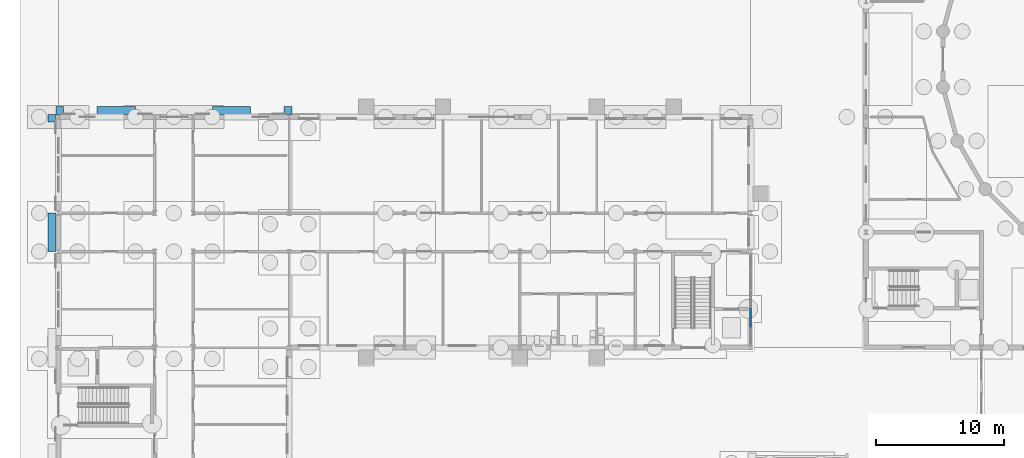
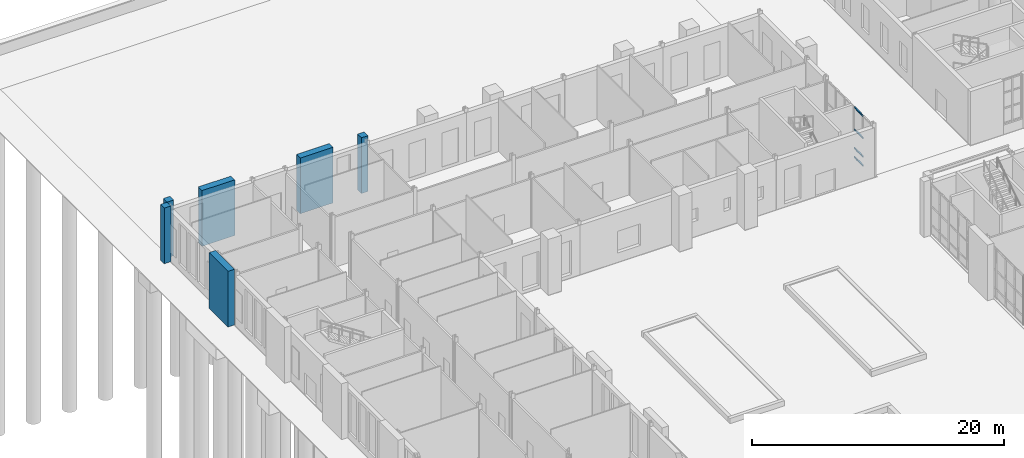
# One storey, part 54 of 168: 10 members, 1 element without a shape of its own.
"""IFC4 building model written with IfcOpenShell, lengths in metres."""

import ifcopenshell
import ifcopenshell.guid

model = None  # the IFC model being written
_history = None  # IfcOwnerHistory: only IFC2X3 demands one
_inside = {}  # id of a spatial element -> (the spatial element, [elements in it])
_under = {}  # id of a project, library or spatial element -> (it, [spatial elements below it])
_declared = {}  # id of a project -> (the project, [libraries it declares])
_typed = {}  # id of a type object -> (the type object, [elements of that type])
_made_of = {}  # id of a material, layer set ... -> (it, [elements and type objects made of it])


def new_model(schema):
    """Start an empty IFC model of exactly this schema.

    Asked for "IFC4X3", IfcOpenShell would pick the latest addendum, in which some entities
    have other attributes; the version numbers below select the first issue.
    IFC2X3 requires an IfcOwnerHistory on every rooted entity: one is made here for all.
    """
    global model, _history
    if schema == "IFC4X3":
        model = ifcopenshell.file(schema_version=(4, 3, 0, 0))
    else:
        model = ifcopenshell.file(schema=schema)
    _inside.clear()
    _under.clear()
    _declared.clear()
    _typed.clear()
    _made_of.clear()
    _history = None
    if model.schema == "IFC2X3":
        org = make("IfcOrganization", Name="unknown")
        user = make(
            "IfcPersonAndOrganization",
            ThePerson=make("IfcPerson", FamilyName="unknown"),
            TheOrganization=org,
        )
        app = make(
            "IfcApplication",
            ApplicationDeveloper=org,
            Version="unknown",
            ApplicationFullName="unknown",
            ApplicationIdentifier="unknown",
        )
        _history = make(
            "IfcOwnerHistory",
            OwningUser=user,
            OwningApplication=app,
            ChangeAction="ADDED",
            CreationDate=0,
        )
    return model


def make(cls, **values):
    """One entity of the class cls with the attributes given. An attribute that is None is left unset."""
    return model.create_entity(
        cls, **{name: value for name, value in values.items() if value is not None}
    )


def rooted(cls, **values):
    """An entity with a GlobalId (a new one), such as an element, a storey or a relation."""
    return make(cls, GlobalId=ifcopenshell.guid.new(), OwnerHistory=_history, **values)


def si_unit(unit_type, name, prefix=None):
    """IfcSIUnit, for example si_unit("LENGTHUNIT", "METRE", prefix="MILLI")."""
    return make("IfcSIUnit", UnitType=unit_type, Prefix=prefix, Name=name)


def assignment(units):
    """IfcUnitAssignment: the units of a project."""
    return None if units is None else make("IfcUnitAssignment", Units=units)


def point(xyz):
    """IfcCartesianPoint."""
    return None if xyz is None else make("IfcCartesianPoint", Coordinates=xyz)


def direction(xyz):
    """IfcDirection."""
    return None if xyz is None else make("IfcDirection", DirectionRatios=xyz)


def frame(location, z_axis=None, x_axis=None):
    """IfcAxis2Placement3D, a coordinate frame: its origin and axes. An axis left out is left unset."""
    return make(
        "IfcAxis2Placement3D",
        Location=point(location),
        Axis=direction(z_axis),
        RefDirection=direction(x_axis),
    )


def frame_2d(location, x_axis=None):
    """IfcAxis2Placement2D, a coordinate frame in the plane: its origin and x axis."""
    return make(
        "IfcAxis2Placement2D", Location=point(location), RefDirection=direction(x_axis)
    )


def origin():
    """The frame at (0, 0, 0) with its axes left unset."""
    return frame((0.0, 0.0, 0.0))


def origin_2d():
    """The frame at (0, 0) in the plane with its x axis left unset."""
    return frame_2d((0.0, 0.0))


def place(relative_to, where):
    """IfcLocalPlacement: puts the frame where relative to a parent placement (None: the world)."""
    return make(
        "IfcLocalPlacement", PlacementRelTo=relative_to, RelativePlacement=where
    )


def context(
    kind, dimensions, precision=None, world=None, true_north=None, identifier=None
):
    """IfcGeometricRepresentationContext, for example the 3D "Model" context."""
    return make(
        "IfcGeometricRepresentationContext",
        ContextIdentifier=identifier,
        ContextType=kind,
        CoordinateSpaceDimension=dimensions,
        Precision=precision,
        WorldCoordinateSystem=world,
        TrueNorth=true_north,
    )


def subcontext(parent, identifier, kind, view, scale=None):
    """IfcGeometricRepresentationSubContext, for example "Body" below "Model"."""
    return make(
        "IfcGeometricRepresentationSubContext",
        ContextIdentifier=identifier,
        ContextType=kind,
        ParentContext=parent,
        TargetScale=scale,
        TargetView=view,
    )


def project(units=None, contexts=None):
    """IfcProject with its units and contexts."""
    return rooted(
        "IfcProject",
        Name="project",
        RepresentationContexts=contexts,
        UnitsInContext=assignment(units),
    )


def spatial(cls, under=None, at=None, **own):
    """A site, building, storey or space (cls), placed at a placement, below another one or the project."""
    s = rooted(cls, ObjectPlacement=at, **own)
    if under is not None:
        _under.setdefault(under.id(), (under, []))[1].append(s)
    return s


def profile(cls, at=None, kind="AREA", **sizes):
    """A parametric profile (cls). Its sizes go by their IFC names, for example OverallWidth=200.0."""
    return make(cls, ProfileType=kind, Position=at, **sizes)


def rectangle(**sizes):
    """IfcRectangleProfileDef."""
    return profile("IfcRectangleProfileDef", **sizes)


def extrude(swept, where, along, depth):
    """IfcExtrudedAreaSolid: the profile swept, set in the frame where, extruded along a direction by depth."""
    return make(
        "IfcExtrudedAreaSolid",
        SweptArea=swept,
        Position=where,
        ExtrudedDirection=direction(along),
        Depth=depth,
    )


def shape(context_of_items, identifier, shape_type, items):
    """IfcShapeRepresentation: the items that make up one representation, for example the "Body"."""
    return make(
        "IfcShapeRepresentation",
        ContextOfItems=context_of_items,
        RepresentationIdentifier=identifier,
        RepresentationType=shape_type,
        Items=items,
    )


def material(Name=None, Category=None):
    """IfcMaterial."""
    return make("IfcMaterial", Name=Name, Category=Category)


def layer(
    of_material, thickness, ventilated=None, Name=None, Category=None, Priority=None
):
    """IfcMaterialLayer: one layer of a wall or slab, of a material (None: an air gap)."""
    return make(
        "IfcMaterialLayer",
        Material=of_material,
        LayerThickness=thickness,
        IsVentilated=ventilated,
        Name=Name,
        Category=Category,
        Priority=Priority,
    )


def layer_set(layers, Name=None):
    """IfcMaterialLayerSet."""
    return make("IfcMaterialLayerSet", MaterialLayers=layers, LayerSetName=Name)


def material_profile(
    of_material, cross_section, Name=None, Category=None, Priority=None
):
    """IfcMaterialProfile: a cross section and its material."""
    return make(
        "IfcMaterialProfile",
        Name=Name,
        Material=of_material,
        Profile=cross_section,
        Priority=Priority,
        Category=Category,
    )


def profile_set(profiles, Name=None, composite=None):
    """IfcMaterialProfileSet."""
    return make(
        "IfcMaterialProfileSet",
        Name=Name,
        MaterialProfiles=profiles,
        CompositeProfile=composite,
    )


def made_of(thing, what):
    """Note that an element or type object is made of a material, layer set ...; save() writes the relation."""
    if what is not None:
        _made_of.setdefault(what.id(), (what, []))[1].append(thing)
    return thing


def type_object(cls, material=None, **own):
    """A type object (cls), such as IfcWallType, which elements share."""
    return made_of(rooted(cls, **own), material)


def element(
    cls,
    number,
    at=None,
    inside=None,
    cuts=None,
    type_object=None,
    material=None,
    context=None,
    identifier="Body",
    shape_type=None,
    held_by="IfcProductDefinitionShape",
    body=None,
    shapes=None,
    **own,
):
    """One element of the class cls, such as IfcWall. Its Tag is "e" and its number.

    at: its placement. inside: the storey or other place that contains it. cuts: it is an
    opening in that element (IfcRelVoidsElement). A single representation is given by context,
    identifier, shape_type and body (its items); several are given by shapes. held_by: the class
    of the entity that holds the representations. save() writes the other relations.
    """
    e = rooted(cls, Tag="e%d" % number, ObjectPlacement=at, **own)
    if body is not None:
        shapes = [shape(context, identifier, shape_type, body)]
    if shapes is not None:
        e.Representation = make(held_by, Representations=shapes)
    if inside is not None:
        _inside.setdefault(inside.id(), (inside, []))[1].append(e)
    if cuts is not None:
        rooted(
            "IfcRelVoidsElement", RelatingBuildingElement=cuts, RelatedOpeningElement=e
        )
    if type_object is not None:
        _typed.setdefault(type_object.id(), (type_object, []))[1].append(e)
    return made_of(e, material)


def aggregate(whole, parts):
    """IfcRelAggregates: a whole, such as a stair, and the parts it consists of."""
    return rooted("IfcRelAggregates", RelatingObject=whole, RelatedObjects=parts)


def save(model, path):
    """Write the relations noted so far, then the file.

    IfcRelAggregates (storeys below a building ...), IfcRelContainedInSpatialStructure (elements
    in a storey), IfcRelDefinesByType, IfcRelAssociatesMaterial and IfcRelDeclares: one each for
    every whole, place, type object, material and project.
    """
    for whole, parts in _under.values():
        aggregate(whole, parts)
    for where, things in _inside.values():
        rooted(
            "IfcRelContainedInSpatialStructure",
            RelatedElements=things,
            RelatingStructure=where,
        )
    for kind, things in _typed.values():
        rooted("IfcRelDefinesByType", RelatedObjects=things, RelatingType=kind)
    for what, things in _made_of.values():
        rooted("IfcRelAssociatesMaterial", RelatedObjects=things, RelatingMaterial=what)
    for by, libraries in _declared.values():
        rooted("IfcRelDeclares", RelatingContext=by, RelatedDefinitions=libraries)
    model.write(path)


model = new_model("IFC4")

# Units and contexts
model_context = context("Model", 3, precision=1e-05, world=origin(), true_north=direction((0.0, 1.0)))
body_context = subcontext(model_context, "Body", "Model", "MODEL_VIEW")
ifc_project = project(units=[si_unit("LENGTHUNIT", "METRE"), si_unit("AREAUNIT", "SQUARE_METRE"), si_unit("VOLUMEUNIT", "CUBIC_METRE"), si_unit("PLANEANGLEUNIT", "RADIAN"), si_unit("MASSUNIT", "GRAM", prefix="KILO")], contexts=[model_context])

# Site, building, storey
site_placement = place(None, origin())
site = spatial("IfcSite", under=ifc_project, at=site_placement, CompositionType="ELEMENT")
building_placement = place(site_placement, origin())
building = spatial("IfcBuilding", under=site, at=building_placement, Name="Golden Quay Civic Hall", CompositionType="ELEMENT")
storey_placement = place(building_placement, origin())
storey = spatial("IfcBuildingStorey", under=building, at=storey_placement, Name="L00", CompositionType="ELEMENT", Elevation=0.0)

# Curtain wall, members
ifc_material_1 = material(Name="Glass, laminated double glazed", Category="glass")
ifc_layer = layer(ifc_material_1, 0.199951171875)
ifc_layer_set = layer_set([ifc_layer], Name="Glazed core strip curtain wall")
curtain_wall_type = type_object("IfcCurtainWallType", Name="Glazed core strip curtain wall", PredefinedType="NOTDEFINED", material=ifc_layer_set)
curtain_wall_placement = place(storey_placement, origin())
curtain_wall = element("IfcCurtainWall", 1, at=curtain_wall_placement, inside=storey, type_object=curtain_wall_type, Name="Glazed core strip curtain wall L00 2", PredefinedType="NOTDEFINED")
ifc_material_2 = material(Name="Aluminium, anodised", Category="aluminium")
ifc_material_profile_1 = material_profile(ifc_material_2, rectangle(XDim=0.06005859375, YDim=0.1201171875, at=origin_2d()), Name="Aluminium 60 x 120")
ifc_profile_set_1 = profile_set([ifc_material_profile_1], Name="Aluminium, anodised")
member_type_1 = type_object("IfcMemberType", Name="Aluminium transom 60 x 120", PredefinedType="USERDEFINED", material=ifc_profile_set_1)
member_1_placement = place(storey_placement, frame((54.0, 66.0, 0.030029296875), z_axis=(0.0, -1.0, 0.0), x_axis=(1.0, 0.0, 0.0)))
member_1 = element("IfcMember", 2, at=member_1_placement, type_object=member_type_1, Name="CW2 transom 4.1", ObjectType="TRANSOM", PredefinedType="USERDEFINED", context=body_context, shape_type="SweptSolid", body=[
    extrude(rectangle(XDim=0.06005859375, YDim=0.1201171875, at=origin_2d()), origin(), (0.0, 0.0, 1.0), 1.3798828125),
])
member_2_placement = place(storey_placement, frame((54.0, 66.0, 0.89990234375), z_axis=(0.0, -1.0, 0.0), x_axis=(1.0, 0.0, 0.0)))
member_2 = element("IfcMember", 3, at=member_2_placement, type_object=member_type_1, Name="CW2 transom 4.2", ObjectType="TRANSOM", PredefinedType="USERDEFINED", context=body_context, shape_type="SweptSolid", body=[
    extrude(rectangle(XDim=0.06005859375, YDim=0.1201171875, at=origin_2d()), origin(), (0.0, 0.0, 1.0), 1.3798828125),
])
member_3_placement = place(storey_placement, frame((54.0, 66.0, 2.699951171875), z_axis=(0.0, -1.0, 0.0), x_axis=(1.0, 0.0, 0.0)))
member_3 = element("IfcMember", 4, at=member_3_placement, type_object=member_type_1, Name="CW2 transom 4.3", ObjectType="TRANSOM", PredefinedType="USERDEFINED", context=body_context, shape_type="SweptSolid", body=[
    extrude(rectangle(XDim=0.06005859375, YDim=0.1201171875, at=origin_2d()), origin(), (0.0, 0.0, 1.0), 1.3798828125),
])
member_4_placement = place(storey_placement, frame((54.0, 66.0, 4.840087890625), z_axis=(0.0, -1.0, 0.0), x_axis=(1.0, 0.0, 0.0)))
member_4 = element("IfcMember", 5, at=member_4_placement, type_object=member_type_1, Name="CW2 transom 4.4", ObjectType="TRANSOM", PredefinedType="USERDEFINED", context=body_context, shape_type="SweptSolid", body=[
    extrude(rectangle(XDim=0.06005859375, YDim=0.1201171875, at=origin_2d()), origin(), (0.0, 0.0, 1.0), 1.3798828125),
])
aggregate(curtain_wall, [member_1, member_2, member_3, member_4])

# Members
ifc_material_3 = material(Name="Concrete C40/50", Category="concrete")
ifc_material_profile_2 = material_profile(ifc_material_3, rectangle(XDim=3.0, YDim=0.60009765625, at=origin_2d()), Name="RC 3000x600")
ifc_profile_set_2 = profile_set([ifc_material_profile_2], Name="Concrete C40/50")
member_type_2 = type_object("IfcMemberType", Name="Precast concrete facade pier 3000 x 600", PredefinedType="POST", material=ifc_profile_set_2)
for number, where, z_axis, x_axis, name in (
    (6, (-0.5, 72.0, 0.0), (0.0, 0.0, 1.0), (0.0, 1.0, 0.0), "Precast concrete facade pier 3000 x 600 L00 8"),
    (7, (4.5, 81.5, 0.0), (0.0, 0.0, 1.0), (1.0, 0.0, 0.0), "Precast concrete facade pier 3000 x 600 L00 9"),
    (8, (13.5, 81.5, 0.0), (0.0, 0.0, 1.0), (1.0, 0.0, 0.0), "Precast concrete facade pier 3000 x 600 L00 10"),
):
    element("IfcMember", number, at=place(storey_placement, frame(where, z_axis=z_axis, x_axis=x_axis)), inside=storey, type_object=member_type_2, Name=name, PredefinedType="POST", context=body_context, shape_type="SweptSolid", body=[
        extrude(rectangle(XDim=3.0, YDim=0.60009765625, at=origin_2d()), origin(), (0.0, 0.0, 1.0), 5.39990234375),
    ])
ifc_material_4 = material(Name="Concrete C40/50", Category="concrete")
ifc_material_profile_3 = material_profile(ifc_material_4, rectangle(XDim=0.60009765625, YDim=0.60009765625, at=origin_2d()), Name="RC 600x600")
ifc_profile_set_3 = profile_set([ifc_material_profile_3], Name="Concrete C40/50")
member_type_3 = type_object("IfcMemberType", Name="Precast concrete facade post 600 x 600", PredefinedType="POST", material=ifc_profile_set_3)
for number, where, z_axis, x_axis, name in (
    (9, (-0.5, 80.89990234375, 0.0), (0.0, 0.0, 1.0), (1.0, 0.0, 0.0), "Precast concrete facade post 600 x 600 L00 1"),
    (10, (0.10009765625, 81.5, 0.0), (0.0, 0.0, 1.0), (1.0, 0.0, 0.0), "Precast concrete facade post 600 x 600 L00 2"),
    (11, (17.89990234375, 81.5, 0.0), (0.0, 0.0, 1.0), (1.0, 0.0, 0.0), "Precast concrete facade post 600 x 600 L00 3"),
):
    element("IfcMember", number, at=place(storey_placement, frame(where, z_axis=z_axis, x_axis=x_axis)), inside=storey, type_object=member_type_3, Name=name, PredefinedType="POST", context=body_context, shape_type="SweptSolid", body=[
        extrude(rectangle(XDim=0.60009765625, YDim=0.60009765625, at=origin_2d()), origin(), (0.0, 0.0, 1.0), 5.39990234375),
    ])

save(model, "model.ifc")
